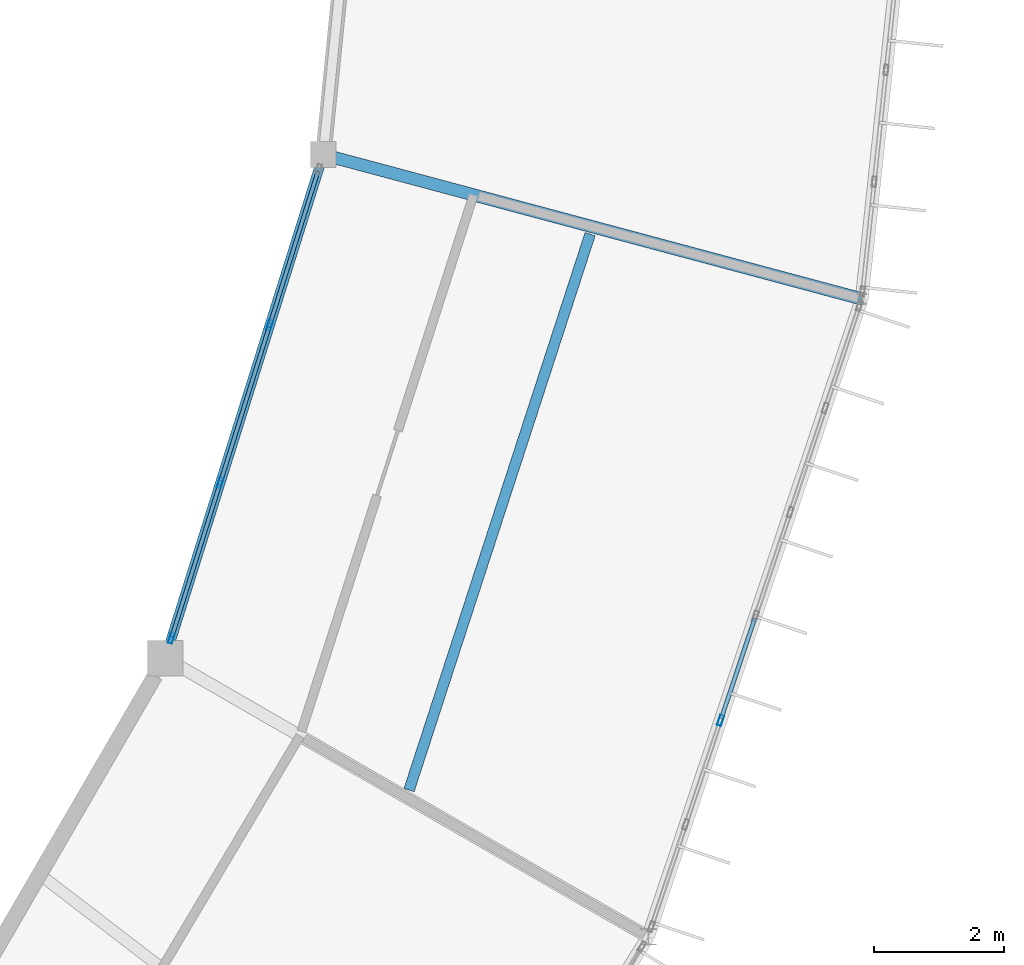
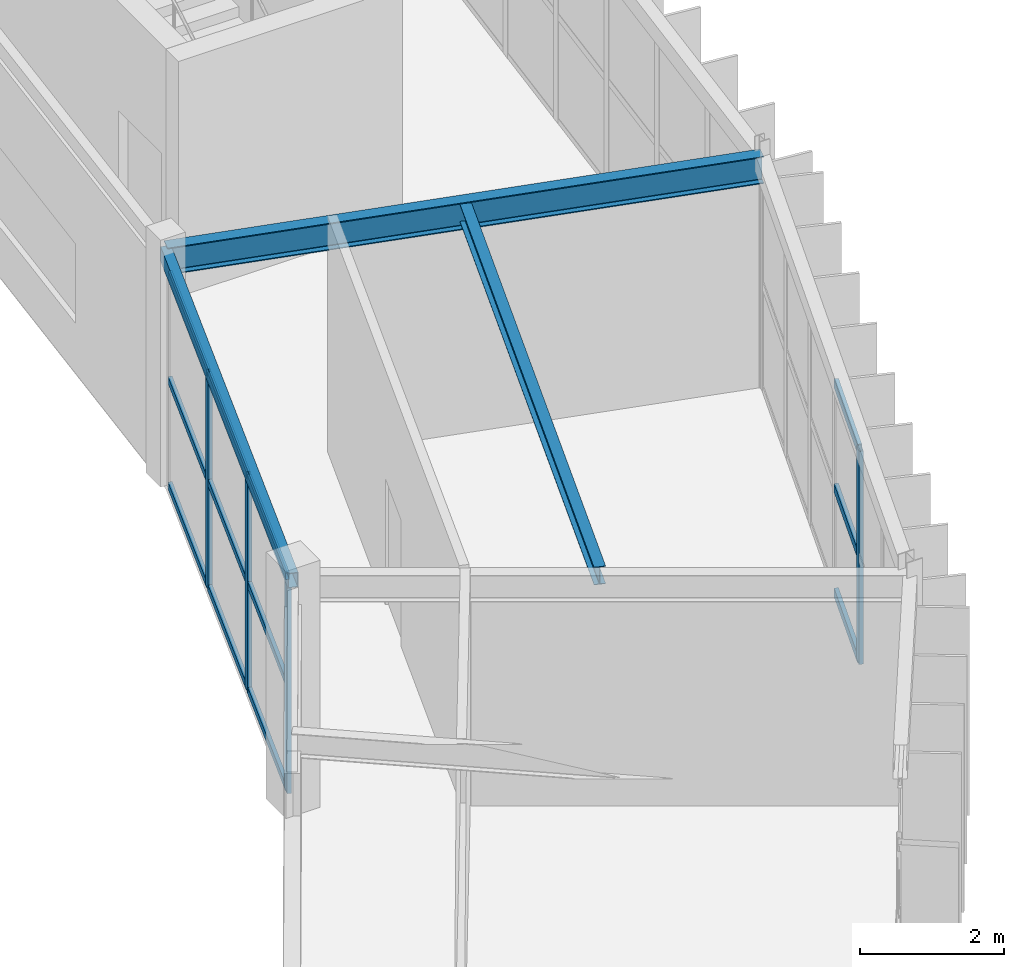
# One storey, part 48 of 106: 16 members, 3 beams, 2 elements without a shape of their own.
"""IFC4 building model written with IfcOpenShell, lengths in metres."""

from ifc_helpers import new_model, si_unit, direction, frame, origin, origin_2d, place, context, subcontext, project, spatial, hollow_rectangle, i_section, extrude, material, material_profile, profile_set, type_object, element, aggregate, save


model = new_model("IFC4")

# Units and contexts
model_context = context("Model", 3, precision=1e-05, world=origin(), true_north=direction((0.0, 1.0)))
body_context = subcontext(model_context, "Body", "Model", "MODEL_VIEW")
ifc_project = project(units=[si_unit("LENGTHUNIT", "METRE"), si_unit("AREAUNIT", "SQUARE_METRE"), si_unit("VOLUMEUNIT", "CUBIC_METRE"), si_unit("PLANEANGLEUNIT", "RADIAN"), si_unit("MASSUNIT", "GRAM", prefix="KILO")], contexts=[model_context])

# Site, building, storey
site_placement = place(None, origin())
site = spatial("IfcSite", under=ifc_project, at=site_placement, CompositionType="ELEMENT")
building_placement = place(site_placement, origin())
building = spatial("IfcBuilding", under=site, at=building_placement, Name="Karori Crest Natural Sciences Institute", CompositionType="ELEMENT")
storey_placement = place(building_placement, frame((0.0, 0.0, 25.89990234375)))
storey = spatial("IfcBuildingStorey", under=building, at=storey_placement, Name="L06", CompositionType="ELEMENT", Elevation=25.89990234375)

# Beams
ifc_material_1 = material(Name="Structural steel AS/NZS 3679.1 Grade 350", Category="steel")
ifc_material_profile_1 = material_profile(ifc_material_1, i_section(OverallWidth=0.19091796875, OverallDepth=0.4599609375, WebThickness=0.010009765625, FlangeThickness=0.01611328125, FilletRadius=0.010986328125, at=origin_2d()), Name="460UB82.1")
ifc_profile_set_1 = profile_set([ifc_material_profile_1], Name="Structural steel AS/NZS 3679.1 Grade 350")
beam_type_1 = type_object("IfcBeamType", Name="BT-06", PredefinedType="BEAM", material=ifc_profile_set_1)
beam_1_placement = place(storey_placement, frame((89.968505859375, 41.56591796875, 3.710205078125), z_axis=(0.96592752402, -0.258812709002, 0.0), x_axis=(0.258812709002, 0.96592752402, 0.0)))
element("IfcBeam", 1, at=beam_1_placement, inside=storey, type_object=beam_type_1, Name="Beam B-0643", PredefinedType="BEAM", context=body_context, shape_type="SweptSolid", body=[
    extrude(i_section(OverallWidth=0.19091796875, OverallDepth=0.4599609375, WebThickness=0.010009765625, FlangeThickness=0.01611328125, FilletRadius=0.010986328125, at=origin_2d()), origin(), (0.0, 0.0, 1.0), 8.60009765625),
])
ifc_material_profile_2 = material_profile(ifc_material_1, i_section(OverallWidth=0.1650390625, OverallDepth=0.303955078125, WebThickness=0.006103515625, FlangeThickness=0.01025390625, FilletRadius=0.010986328125, at=origin_2d()), Name="310UB40.4")
ifc_profile_set_2 = profile_set([ifc_material_profile_2], Name="Structural steel AS/NZS 3679.1 Grade 350")
beam_type_2 = type_object("IfcBeamType", Name="BT-10", PredefinedType="BEAM", material=ifc_profile_set_2)
beam_2_placement = place(storey_placement, frame((91.2919921875, 31.76416015625, 3.7880859375), z_axis=(0.309698753032, 0.950834729262, 0.0), x_axis=(-0.950834729262, 0.309698753032, 0.0)))
element("IfcBeam", 2, at=beam_2_placement, inside=storey, type_object=beam_type_2, Name="Beam B-0640", PredefinedType="BEAM", context=body_context, shape_type="SweptSolid", body=[
    extrude(i_section(OverallWidth=0.1650390625, OverallDepth=0.303955078125, WebThickness=0.006103515625, FlangeThickness=0.01025390625, FilletRadius=0.010986328125, at=origin_2d()), origin(), (0.0, 0.0, 1.0), 9.018310546875),
])
ifc_material_2 = material(Name="Hollow structural steel AS/NZS 1163 Grade C350", Category="steel")
ifc_material_profile_3 = material_profile(ifc_material_2, hollow_rectangle(XDim=0.14990234375, YDim=0.25, WallThickness=0.009033203125, at=origin_2d()), Name="RHS250x150x9")
ifc_profile_set_3 = profile_set([ifc_material_profile_3], Name="Hollow structural steel AS/NZS 1163 Grade C350")
beam_type_3 = type_object("IfcBeamType", Name="BT-16", PredefinedType="SPANDREL", material=ifc_profile_set_3)
beam_3_placement = place(storey_placement, frame((87.531005859375, 33.800048828125, 3.7900390625), z_axis=(0.299468576182, 0.954106163841, 0.0), x_axis=(-0.954106163841, 0.299468576182, 0.0)))
element("IfcBeam", 3, at=beam_3_placement, inside=storey, type_object=beam_type_3, Name="Beam B-0638", PredefinedType="SPANDREL", context=body_context, shape_type="SweptSolid", body=[
    extrude(hollow_rectangle(XDim=0.14990234375, YDim=0.25, WallThickness=0.009033203125, at=origin_2d()), origin(), (0.0, 0.0, 1.0), 8.139404296875),
])

# Curtain wall, member
ifc_material_3 = material(Name="Anodised architectural aluminium 6063-T6", Category="aluminium")
curtain_wall_type_1 = type_object("IfcCurtainWallType", Name="CWT-03", PredefinedType="NOTDEFINED", material=ifc_material_3)
curtain_wall_1_placement = place(storey_placement, origin())
curtain_wall_1 = element("IfcCurtainWall", 4, at=curtain_wall_1_placement, inside=storey, type_object=curtain_wall_type_1, Name="Curtain wall CW-0217", PredefinedType="NOTDEFINED")
ifc_material_profile_4 = material_profile(ifc_material_3, hollow_rectangle(XDim=0.06494140625, YDim=0.159912109375, WallThickness=0.00390625, at=origin_2d()), Name="CWM160x65x4")
ifc_profile_set_4 = profile_set([ifc_material_profile_4], Name="Anodised architectural aluminium 6063-T6")
member_type_1 = type_object("IfcMemberType", Name="CWM-01", PredefinedType="MULLION", material=ifc_profile_set_4)
member_1_placement = place(storey_placement, frame((96.096923828125, 32.837158203125, 0.0), z_axis=(0.0, 0.0, 1.0), x_axis=(0.94819805026, -0.317679803392, 0.0)))
member_1 = element("IfcMember", 5, at=member_1_placement, type_object=member_type_1, Name="CW-0217 mullion 5", PredefinedType="MULLION", context=body_context, shape_type="SweptSolid", body=[
    extrude(hollow_rectangle(XDim=0.06494140625, YDim=0.159912109375, WallThickness=0.00390625, at=origin_2d()), origin(), (0.0, 0.0, 1.0), 3.625),
])

# Curtain wall, members
curtain_wall_type_2 = type_object("IfcCurtainWallType", Name="CWT-13", PredefinedType="NOTDEFINED", material=ifc_material_3)
curtain_wall_2_placement = place(storey_placement, origin())
curtain_wall_2 = element("IfcCurtainWall", 6, at=curtain_wall_2_placement, inside=storey, type_object=curtain_wall_type_2, Name="Curtain wall CW-0218", PredefinedType="NOTDEFINED")
member_2_placement = place(storey_placement, frame((87.62646484375, 34.10400390625, 0.0), z_axis=(0.0, 0.0, 1.0), x_axis=(-0.954104067778, 0.299475254154, 0.0)))
member_2 = element("IfcMember", 7, at=member_2_placement, type_object=member_type_1, Name="CW-0218 mullion 1", PredefinedType="MULLION", context=body_context, shape_type="SweptSolid", body=[
    extrude(hollow_rectangle(XDim=0.06494140625, YDim=0.159912109375, WallThickness=0.00390625, at=origin_2d()), origin(), (0.0, 0.0, 1.0), 3.650146484375),
])
member_3_placement = place(storey_placement, frame((88.3798828125, 36.504638671875, 0.0), z_axis=(0.0, 0.0, 1.0), x_axis=(-0.954104067778, 0.299475254154, 0.0)))
member_3 = element("IfcMember", 8, at=member_3_placement, type_object=member_type_1, Name="CW-0218 mullion 2", PredefinedType="MULLION", context=body_context, shape_type="SweptSolid", body=[
    extrude(hollow_rectangle(XDim=0.06494140625, YDim=0.159912109375, WallThickness=0.00390625, at=origin_2d()), origin(), (0.0, 0.0, 1.0), 3.650146484375),
])
member_4_placement = place(storey_placement, frame((89.14306640625, 38.936279296875, 0.0), z_axis=(0.0, 0.0, 1.0), x_axis=(-0.954104067778, 0.299475254154, 0.0)))
member_4 = element("IfcMember", 9, at=member_4_placement, type_object=member_type_1, Name="CW-0218 mullion 3", PredefinedType="MULLION", context=body_context, shape_type="SweptSolid", body=[
    extrude(hollow_rectangle(XDim=0.06494140625, YDim=0.159912109375, WallThickness=0.00390625, at=origin_2d()), origin(), (0.0, 0.0, 1.0), 3.650146484375),
])
ifc_material_profile_5 = material_profile(ifc_material_3, hollow_rectangle(XDim=0.06005859375, YDim=0.1201171875, WallThickness=0.00390625, at=origin_2d()), Name="CWT120x60x4")
ifc_profile_set_5 = profile_set([ifc_material_profile_5], Name="Anodised architectural aluminium 6063-T6")
member_type_2 = type_object("IfcMemberType", Name="CWT-TR1", PredefinedType="USERDEFINED", material=ifc_profile_set_5)
member_5_placement = place(storey_placement, frame((87.63623046875, 34.135009765625, 0.030029296875), z_axis=(0.299414751752, 0.954123056232, 0.0), x_axis=(-0.954123056232, 0.299414751752, 0.0)))
member_5 = element("IfcMember", 10, at=member_5_placement, type_object=member_type_2, Name="CW-0218 transom 1.1", ObjectType="TRANSOM", PredefinedType="USERDEFINED", context=body_context, shape_type="SweptSolid", body=[
    extrude(hollow_rectangle(XDim=0.06005859375, YDim=0.1201171875, WallThickness=0.00390625, at=origin_2d()), origin(), (0.0, 0.0, 1.0), 2.451171875),
])
member_6_placement = place(storey_placement, frame((87.63623046875, 34.135009765625, 1.8251953125), z_axis=(0.299414751752, 0.954123056232, 0.0), x_axis=(-0.954123056232, 0.299414751752, 0.0)))
member_6 = element("IfcMember", 11, at=member_6_placement, type_object=member_type_2, Name="CW-0218 transom 1.2", ObjectType="TRANSOM", PredefinedType="USERDEFINED", context=body_context, shape_type="SweptSolid", body=[
    extrude(hollow_rectangle(XDim=0.06005859375, YDim=0.1201171875, WallThickness=0.00390625, at=origin_2d()), origin(), (0.0, 0.0, 1.0), 2.451171875),
])
member_7_placement = place(storey_placement, frame((87.63623046875, 34.135009765625, 3.6201171875), z_axis=(0.299414751752, 0.954123056232, 0.0), x_axis=(-0.954123056232, 0.299414751752, 0.0)))
member_7 = element("IfcMember", 12, at=member_7_placement, type_object=member_type_2, Name="CW-0218 transom 1.3", ObjectType="TRANSOM", PredefinedType="USERDEFINED", context=body_context, shape_type="SweptSolid", body=[
    extrude(hollow_rectangle(XDim=0.06005859375, YDim=0.1201171875, WallThickness=0.00390625, at=origin_2d()), origin(), (0.0, 0.0, 1.0), 2.451171875),
])
member_8_placement = place(storey_placement, frame((88.3896484375, 36.53564453125, 0.030029296875), z_axis=(0.299517296731, 0.954090870389, 0.0), x_axis=(-0.954090870389, 0.299517296731, 0.0)))
member_8 = element("IfcMember", 13, at=member_8_placement, type_object=member_type_2, Name="CW-0218 transom 2.1", ObjectType="TRANSOM", PredefinedType="USERDEFINED", context=body_context, shape_type="SweptSolid", body=[
    extrude(hollow_rectangle(XDim=0.06005859375, YDim=0.1201171875, WallThickness=0.00390625, at=origin_2d()), origin(), (0.0, 0.0, 1.0), 2.483642578125),
])
member_9_placement = place(storey_placement, frame((88.3896484375, 36.53564453125, 1.8251953125), z_axis=(0.299517296731, 0.954090870389, 0.0), x_axis=(-0.954090870389, 0.299517296731, 0.0)))
member_9 = element("IfcMember", 14, at=member_9_placement, type_object=member_type_2, Name="CW-0218 transom 2.2", ObjectType="TRANSOM", PredefinedType="USERDEFINED", context=body_context, shape_type="SweptSolid", body=[
    extrude(hollow_rectangle(XDim=0.06005859375, YDim=0.1201171875, WallThickness=0.00390625, at=origin_2d()), origin(), (0.0, 0.0, 1.0), 2.483642578125),
])
member_10_placement = place(storey_placement, frame((88.3896484375, 36.53564453125, 3.6201171875), z_axis=(0.299517296731, 0.954090870389, 0.0), x_axis=(-0.954090870389, 0.299517296731, 0.0)))
member_10 = element("IfcMember", 15, at=member_10_placement, type_object=member_type_2, Name="CW-0218 transom 2.3", ObjectType="TRANSOM", PredefinedType="USERDEFINED", context=body_context, shape_type="SweptSolid", body=[
    extrude(hollow_rectangle(XDim=0.06005859375, YDim=0.1201171875, WallThickness=0.00390625, at=origin_2d()), origin(), (0.0, 0.0, 1.0), 2.483642578125),
])
member_11_placement = place(storey_placement, frame((89.15283203125, 38.96728515625, 0.030029296875), z_axis=(0.29950542383, 0.954094597562, 0.0), x_axis=(-0.954094597562, 0.29950542383, 0.0)))
member_11 = element("IfcMember", 16, at=member_11_placement, type_object=member_type_2, Name="CW-0218 transom 3.1", ObjectType="TRANSOM", PredefinedType="USERDEFINED", context=body_context, shape_type="SweptSolid", body=[
    extrude(hollow_rectangle(XDim=0.06005859375, YDim=0.1201171875, WallThickness=0.00390625, at=origin_2d()), origin(), (0.0, 0.0, 1.0), 2.451171875),
])
member_12_placement = place(storey_placement, frame((89.15283203125, 38.96728515625, 1.8251953125), z_axis=(0.29950542383, 0.954094597562, 0.0), x_axis=(-0.954094597562, 0.29950542383, 0.0)))
member_12 = element("IfcMember", 17, at=member_12_placement, type_object=member_type_2, Name="CW-0218 transom 3.2", ObjectType="TRANSOM", PredefinedType="USERDEFINED", context=body_context, shape_type="SweptSolid", body=[
    extrude(hollow_rectangle(XDim=0.06005859375, YDim=0.1201171875, WallThickness=0.00390625, at=origin_2d()), origin(), (0.0, 0.0, 1.0), 2.451171875),
])
member_13_placement = place(storey_placement, frame((89.15283203125, 38.96728515625, 3.6201171875), z_axis=(0.29950542383, 0.954094597562, 0.0), x_axis=(-0.954094597562, 0.29950542383, 0.0)))
member_13 = element("IfcMember", 18, at=member_13_placement, type_object=member_type_2, Name="CW-0218 transom 3.3", ObjectType="TRANSOM", PredefinedType="USERDEFINED", context=body_context, shape_type="SweptSolid", body=[
    extrude(hollow_rectangle(XDim=0.06005859375, YDim=0.1201171875, WallThickness=0.00390625, at=origin_2d()), origin(), (0.0, 0.0, 1.0), 2.451171875),
])
aggregate(curtain_wall_2, [member_2, member_3, member_4, member_5, member_6, member_7, member_8, member_9, member_10, member_11, member_12, member_13])

# Member
ifc_material_profile_6 = material_profile(ifc_material_3, hollow_rectangle(XDim=0.06494140625, YDim=0.14990234375, WallThickness=0.00390625, at=origin_2d()), Name="CWT150x65x4")
ifc_profile_set_6 = profile_set([ifc_material_profile_6], Name="Anodised architectural aluminium 6063-T6")
member_type_3 = type_object("IfcMemberType", Name="CWT-TR2", PredefinedType="USERDEFINED", material=ifc_profile_set_6)
member_14_placement = place(storey_placement, frame((96.62451171875, 34.412353515625, 0.03271484375), z_axis=(-0.317621421426, -0.948217608279, 0.0), x_axis=(0.948217608279, -0.317621421426, 0.0)))
member_14 = element("IfcMember", 19, at=member_14_placement, type_object=member_type_3, Name="CW-0217 transom 4.1", ObjectType="TRANSOM", PredefinedType="USERDEFINED", context=body_context, shape_type="SweptSolid", body=[
    extrude(hollow_rectangle(XDim=0.06494140625, YDim=0.14990234375, WallThickness=0.00390625, at=origin_2d()), origin(), (0.0, 0.0, 1.0), 1.628662109375),
])

member_15_placement = place(storey_placement, frame((96.62451171875, 34.412353515625, 1.8125), z_axis=(-0.317621421426, -0.948217608279, 0.0), x_axis=(0.948217608279, -0.317621421426, 0.0)))
member_15 = element("IfcMember", 20, at=member_15_placement, type_object=member_type_3, Name="CW-0217 transom 4.2", ObjectType="TRANSOM", PredefinedType="USERDEFINED", context=body_context, shape_type="SweptSolid", body=[
    extrude(hollow_rectangle(XDim=0.06494140625, YDim=0.14990234375, WallThickness=0.00390625, at=origin_2d()), origin(), (0.0, 0.0, 1.0), 1.628662109375),
])

member_16_placement = place(storey_placement, frame((96.62451171875, 34.412353515625, 3.592529296875), z_axis=(-0.317621421426, -0.948217608279, 0.0), x_axis=(0.948217608279, -0.317621421426, 0.0)))
member_16 = element("IfcMember", 21, at=member_16_placement, type_object=member_type_3, Name="CW-0217 transom 4.3", ObjectType="TRANSOM", PredefinedType="USERDEFINED", context=body_context, shape_type="SweptSolid", body=[
    extrude(hollow_rectangle(XDim=0.06494140625, YDim=0.14990234375, WallThickness=0.00390625, at=origin_2d()), origin(), (0.0, 0.0, 1.0), 1.628662109375),
])

aggregate(curtain_wall_1, [member_1, member_14, member_15, member_16])

save(model, "model.ifc")
